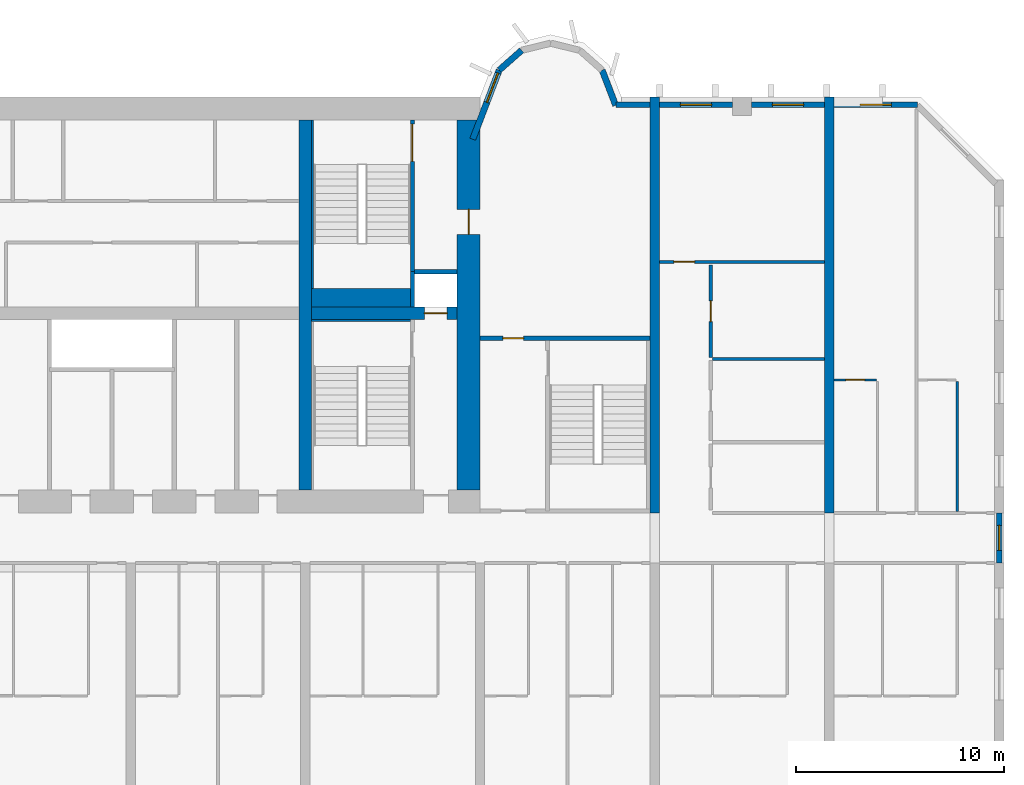
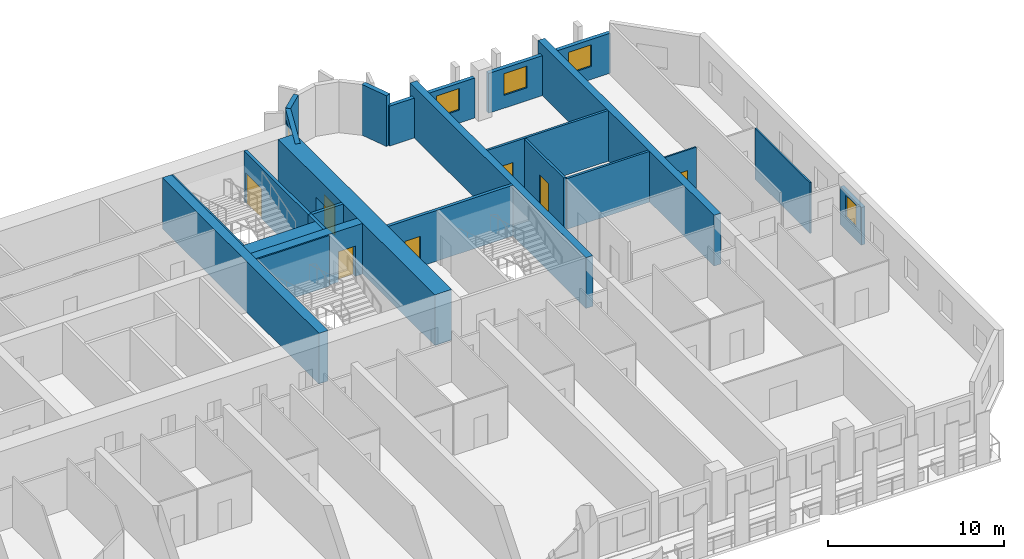
# One storey, part 10 of 15: 25 walls, 7 doors, 5 windows, 12 openings.
"""IFC4 building model written with IfcOpenShell, lengths in metres."""

from ifc_helpers import new_model, si_unit, direction, frame, frame_2d, origin, place, context, subcontext, project, spatial, rectangle, extrude, source, transform, mapped, material, layer, layer_set, type_object, element, fill, save


model = new_model("IFC4")

# Units and contexts
model_context = context("Model", 3, precision=1e-05, world=origin(), true_north=direction((0.0, 1.0)))
body_context = subcontext(model_context, "Body", "Model", "MODEL_VIEW")
ifc_project = project(units=[si_unit("LENGTHUNIT", "METRE"), si_unit("AREAUNIT", "SQUARE_METRE"), si_unit("VOLUMEUNIT", "CUBIC_METRE"), si_unit("PLANEANGLEUNIT", "RADIAN"), si_unit("MASSUNIT", "GRAM", prefix="KILO")], contexts=[model_context])

# Site, building, storey
site_placement = place(None, origin())
site = spatial("IfcSite", under=ifc_project, at=site_placement, CompositionType="ELEMENT")
building_placement = place(site_placement, origin())
building = spatial("IfcBuilding", under=site, at=building_placement, Name="Vanashikhar Sky Hotel", CompositionType="ELEMENT")
storey_placement = place(building_placement, frame((0.0, 0.0, 39.199951171875)))
storey = spatial("IfcBuildingStorey", under=building, at=storey_placement, Name="L08", CompositionType="ELEMENT", Elevation=39.199951171875)

# Wall, opening, door
ifc_material_1 = material(Name="Concrete M80", Category="concrete")
ifc_layer_1 = layer(ifc_material_1, 1.10009765625)
ifc_layer_set_1 = layer_set([ifc_layer_1], Name="RC core shell wall 1100 Concrete M80")
wall_type_1 = type_object("IfcWallType", Name="RC core shell wall 1100 Concrete M80", PredefinedType="SHEAR", material=ifc_layer_set_1)
shared_shape_1 = source(origin(), body_context, "Body", "SweptSolid", [
    extrude(rectangle(XDim=17.7998046875, YDim=1.10009765625, at=frame_2d((8.89990234375, 0.0))), origin(), (0.0, 0.0, 1.0), 3.52001953125),
])
wall_1_placement = place(storey_placement, frame((75.050048828125, 23.10009765625, 0.0), z_axis=(0.0, 0.0, 1.0), x_axis=(0.0, 1.0, 0.0)))
wall_1 = element("IfcWall", 1, at=wall_1_placement, inside=storey, type_object=wall_type_1, Name="KW-L08-KE", PredefinedType="SHEAR", context=body_context, shape_type="MappedRepresentation", body=[
    mapped(shared_shape_1, transform((0.0, 0.0, 0.0), scale=1.0)),
])
shared_shape_2 = source(origin(), body_context, "Body", "SweptSolid", [
    extrude(rectangle(XDim=1.199951171875, YDim=2.10009765625, at=frame_2d((0.60009765625, 1.050048828125))), frame((0.0, 0.56005859375, 0.0), z_axis=(0.0, -1.0, 0.0), x_axis=(1.0, 0.0, 0.0)), (0.0, 0.0, 1.0), 1.1201171875),
])
opening_1_placement = place(wall_1_placement, frame((12.300048828125, 0.0, 0.0)))
opening_1 = element("IfcOpeningElement", 2, at=opening_1_placement, cuts=wall_1, Name="Opening DC-4-D", PredefinedType="OPENING", context=body_context, shape_type="MappedRepresentation", body=[
    mapped(shared_shape_2, transform((0.0, 0.0, 0.0), scale=1.0)),
])
ifc_material_2 = material(Name="Steel", Category="steel")
door_type_1 = type_object("IfcDoorType", Name="Service door 1200 FD120", OperationType="NOTDEFINED", PredefinedType="DOOR", material=ifc_material_2)
shared_shape_3 = source(origin(), body_context, "Body", "SweptSolid", [
    extrude(rectangle(XDim=1.199951171875, YDim=2.10009765625, at=frame_2d((0.60009765625, 1.050048828125))), frame((0.0, 0.02490234375, 0.0), z_axis=(0.0, -1.0, 0.0), x_axis=(1.0, 0.0, 0.0)), (0.0, 0.0, 1.0), 0.050048828125),
])
door_1_placement = place(opening_1_placement, origin())
door_1 = element("IfcDoor", 3, at=door_1_placement, inside=storey, type_object=door_type_1, Name="Service door 1200 FD120", OperationType="SINGLE_SWING_RIGHT", OverallHeight=2.10009765625, OverallWidth=1.199951171875, PredefinedType="DOOR", context=body_context, shape_type="MappedRepresentation", body=[
    mapped(shared_shape_3, transform((0.0, 0.0, 0.0), scale=1.0)),
])
fill(opening_1, door_1)

# Wall
ifc_layer_2 = layer(ifc_material_1, 0.60009765625)
ifc_layer_set_2 = layer_set([ifc_layer_2], Name="RC core inner wall 600 Concrete M80")
wall_type_2 = type_object("IfcWallType", Name="RC core inner wall 600 Concrete M80", PredefinedType="SHEAR", material=ifc_layer_set_2)
shared_shape_4 = source(origin(), body_context, "Body", "SweptSolid", [
    extrude(rectangle(XDim=17.7998046875, YDim=0.60009765625, at=frame_2d((8.89990234375, 0.0))), origin(), (0.0, 0.0, 1.0), 3.52001953125),
])
wall_2_placement = place(storey_placement, frame((67.199951171875, 23.10009765625, 0.0), z_axis=(0.0, 0.0, 1.0), x_axis=(0.0, 1.0, 0.0)))
element("IfcWall", 4, at=wall_2_placement, inside=storey, type_object=wall_type_2, Name="KW-L08-KX3", PredefinedType="SHEAR", context=body_context, shape_type="MappedRepresentation", body=[
    mapped(shared_shape_4, transform((0.0, 0.0, 0.0), scale=1.0)),
])

# Wall, opening, door
shared_shape_5 = source(origin(), body_context, "Body", "SweptSolid", [
    extrude(rectangle(XDim=7.0, YDim=0.60009765625, at=frame_2d((3.5, 0.0))), origin(), (0.0, 0.0, 1.0), 3.52001953125),
])
wall_3_placement = place(storey_placement, frame((67.5, 31.60009765625, 0.0), z_axis=(0.0, 0.0, 1.0), x_axis=(1.0, 0.0, 0.0)))
wall_3 = element("IfcWall", 5, at=wall_3_placement, inside=storey, type_object=wall_type_2, Name="KW-L08-KY4", PredefinedType="SHEAR", context=body_context, shape_type="MappedRepresentation", body=[
    mapped(shared_shape_5, transform((0.0, 0.0, 0.0), scale=1.0)),
])
shared_shape_6 = source(origin(), body_context, "Body", "SweptSolid", [
    extrude(rectangle(XDim=1.10009765625, YDim=2.10009765625, at=frame_2d((0.550048828125, 1.050048828125))), frame((0.0, 0.31005859375, 0.0), z_axis=(0.0, -1.0, 0.0), x_axis=(1.0, 0.0, 0.0)), (0.0, 0.0, 1.0), 0.6201171875),
])
opening_2_placement = place(wall_3_placement, frame((5.425048828125, 0.0, 0.0)))
opening_2 = element("IfcOpeningElement", 6, at=opening_2_placement, cuts=wall_3, Name="Opening LD", PredefinedType="OPENING", context=body_context, shape_type="MappedRepresentation", body=[
    mapped(shared_shape_6, transform((0.0, 0.0, 0.0), scale=1.0)),
])
ifc_material_3 = material(Name="Stainless steel", Category="steel")
door_type_2 = type_object("IfcDoorType", Name="Lift landing door 1100", OperationType="NOTDEFINED", PredefinedType="DOOR", material=ifc_material_3)
shared_shape_7 = source(origin(), body_context, "Body", "SweptSolid", [
    extrude(rectangle(XDim=1.10009765625, YDim=2.10009765625, at=frame_2d((0.550048828125, 1.050048828125))), frame((0.0, 0.02490234375, 0.0), z_axis=(0.0, -1.0, 0.0), x_axis=(1.0, 0.0, 0.0)), (0.0, 0.0, 1.0), 0.050048828125),
])
door_2_placement = place(opening_2_placement, origin())
door_2 = element("IfcDoor", 7, at=door_2_placement, inside=storey, type_object=door_type_2, Name="Lift landing door 1100", OperationType="SLIDING_TO_RIGHT", OverallHeight=2.10009765625, OverallWidth=1.10009765625, PredefinedType="DOOR", context=body_context, shape_type="MappedRepresentation", body=[
    mapped(shared_shape_7, transform((0.0, 0.0, 0.0), scale=1.0)),
])
fill(opening_2, door_2)

# Walls
ifc_layer_3 = layer(ifc_material_1, 0.449951171875)
ifc_layer_set_3 = layer_set([ifc_layer_3], Name="RC shear wall 450 Concrete M80")
wall_type_3 = type_object("IfcWallType", Name="RC shear wall 450 Concrete M80", PredefinedType="SHEAR", material=ifc_layer_set_3)
shared_shape_8 = source(origin(), body_context, "Body", "SweptSolid", [
    extrude(rectangle(XDim=20.0, YDim=0.449951171875, at=frame_2d((10.0, 0.0))), origin(), (0.0, 0.0, 1.0), 3.52001953125),
])
for number, where, z_axis, x_axis, name in (
    (8, (84.0, 22.0, 0.0), (0.0, 0.0, 1.0), (0.0, 1.0, 0.0), "CW-L08-XW11-2"),
    (9, (92.39990234375, 22.0, 0.0), (0.0, 0.0, 1.0), (0.0, 1.0, 0.0), "CW-L08-XW12-2"),
):
    element("IfcWall", number, at=place(storey_placement, frame(where, z_axis=z_axis, x_axis=x_axis)), inside=storey, type_object=wall_type_3, Name=name, PredefinedType="SHEAR", context=body_context, shape_type="MappedRepresentation", body=[
        mapped(shared_shape_8, transform((0.0, 0.0, 0.0), scale=1.0)),
    ])

# Wall, opening, window
ifc_material_4 = material(Name="Concrete M50", Category="concrete")
ifc_layer_4 = layer(ifc_material_4, 0.25)
ifc_layer_set_4 = layer_set([ifc_layer_4], Name="Rear and end board-marked wall 250")
wall_type_4 = type_object("IfcWallType", Name="Rear and end board-marked wall 250", PredefinedType="SOLIDWALL", material=ifc_layer_set_4)
shared_shape_9 = source(origin(), body_context, "Body", "SweptSolid", [
    extrude(rectangle(XDim=4.019775390625, YDim=0.25, at=frame_2d((2.009765625, 0.0))), origin(), (0.0, 0.0, 1.0), 2.77001953125),
])
wall_4_placement = place(storey_placement, frame((96.644775390625, 41.625, 0.0), z_axis=(0.0, 0.0, 1.0), x_axis=(-1.0, 0.0, 0.0)))
wall_4 = element("IfcWall", 10, at=wall_4_placement, inside=storey, type_object=wall_type_4, Name="Rear board-marked wall", PredefinedType="SOLIDWALL", context=body_context, shape_type="MappedRepresentation", body=[
    mapped(shared_shape_9, transform((0.0, 0.0, 0.0), scale=1.0)),
])
shared_shape_10 = source(origin(), body_context, "Body", "SweptSolid", [
    extrude(rectangle(XDim=1.5, YDim=1.5, at=frame_2d((0.75, 0.75))), frame((0.0, 0.135009765625, 0.0), z_axis=(0.0, -1.0, 0.0), x_axis=(1.0, 0.0, 0.0)), (0.0, 0.0, 1.0), 0.27001953125),
])
opening_3_placement = place(wall_4_placement, frame((1.260009765625, 0.0, 0.89990234375)))
opening_3 = element("IfcOpeningElement", 11, at=opening_3_placement, cuts=wall_4, Name="Opening WN-1", PredefinedType="OPENING", context=body_context, shape_type="MappedRepresentation", body=[
    mapped(shared_shape_10, transform((0.0, 0.0, 0.0), scale=1.0)),
])
ifc_material_5 = material(Name="Glass", Category="glass")
window_type_1 = type_object("IfcWindowType", Name="Window 1500 x 1500", PartitioningType="SINGLE_PANEL", PredefinedType="WINDOW", material=ifc_material_5)
shared_shape_11 = source(origin(), body_context, "Body", "SweptSolid", [
    extrude(rectangle(XDim=1.5, YDim=1.5, at=frame_2d((0.75, 0.75))), frame((0.0, 0.030029296875, 0.0), z_axis=(0.0, -1.0, 0.0), x_axis=(1.0, 0.0, 0.0)), (0.0, 0.0, 1.0), 0.06005859375),
])
window_1_placement = place(opening_3_placement, origin())
window_1 = element("IfcWindow", 12, at=window_1_placement, inside=storey, type_object=window_type_1, Name="Window WN-1", OverallHeight=1.5, OverallWidth=1.5, PartitioningType="SINGLE_PANEL", PredefinedType="WINDOW", context=body_context, shape_type="MappedRepresentation", body=[
    mapped(shared_shape_11, transform((0.0, 0.0, 0.0), scale=1.0)),
])
fill(opening_3, window_1)

ifc_layer_5 = layer(ifc_material_4, 0.300048828125)
ifc_layer_set_5 = layer_set([ifc_layer_5], Name="Lobe wall 300")
wall_type_5 = type_object("IfcWallType", Name="Lobe wall 300", PredefinedType="SOLIDWALL", material=ifc_layer_set_5)
shared_shape_12 = source(origin(), body_context, "Body", "SweptSolid", [
    extrude(rectangle(XDim=3.55908203125, YDim=0.300048828125, at=frame_2d((1.779541015625, 0.0))), origin(), (0.0, 0.0, 1.0), 3.52001953125),
])
wall_5_placement = place(storey_placement, frame((76.5234375, 43.2919921875, 0.0), z_axis=(0.0, 0.0, 1.0), x_axis=(-0.35779745313, -0.933799219604, 0.0)))
wall_5 = element("IfcWall", 13, at=wall_5_placement, inside=storey, type_object=wall_type_5, Name="Lobe wall", PredefinedType="SOLIDWALL", context=body_context, shape_type="MappedRepresentation", body=[
    mapped(shared_shape_12, transform((0.0, 0.0, 0.0), scale=1.0)),
])
shared_shape_13 = source(origin(), body_context, "Body", "SweptSolid", [
    extrude(rectangle(XDim=1.5, YDim=2.0, at=frame_2d((0.75, 1.0))), frame((0.0, 0.16015625, 0.0), z_axis=(0.0, -1.0, 0.0), x_axis=(1.0, 0.0, 0.0)), (0.0, 0.0, 1.0), 0.320068359375),
])
opening_4_placement = place(wall_5_placement, frame((0.156005859375, 0.0, 0.89990234375)))
opening_4 = element("IfcOpeningElement", 14, at=opening_4_placement, cuts=wall_5, Name="Opening WN-2", PredefinedType="OPENING", context=body_context, shape_type="MappedRepresentation", body=[
    mapped(shared_shape_13, transform((0.0, 0.0, 0.0), scale=1.0)),
])
window_type_2 = type_object("IfcWindowType", Name="Lobe window 1500 x 2000", PartitioningType="SINGLE_PANEL", PredefinedType="WINDOW", material=ifc_material_5)
shared_shape_14 = source(origin(), body_context, "Body", "SweptSolid", [
    extrude(rectangle(XDim=1.5, YDim=2.0, at=frame_2d((0.75, 1.0))), frame((0.0, 0.030029296875, 0.0), z_axis=(0.0, -1.0, 0.0), x_axis=(1.0, 0.0, 0.0)), (0.0, 0.0, 1.0), 0.06005859375),
])
window_2_placement = place(opening_4_placement, origin())
window_2 = element("IfcWindow", 15, at=window_2_placement, inside=storey, type_object=window_type_2, Name="Window WN-2", OverallHeight=2.0, OverallWidth=1.5, PartitioningType="SINGLE_PANEL", PredefinedType="WINDOW", context=body_context, shape_type="MappedRepresentation", body=[
    mapped(shared_shape_14, transform((0.0, 0.0, 0.0), scale=1.0)),
])
fill(opening_4, window_2)

# Walls
shared_shape_15 = source(origin(), body_context, "Body", "SweptSolid", [
    extrude(rectangle(XDim=1.43994140625, YDim=0.300048828125, at=frame_2d((0.719970703125, 0.0))), origin(), (0.0, 0.0, 1.0), 3.52001953125),
])
wall_6_placement = place(storey_placement, frame((77.602783203125, 44.2451171875, 0.0), z_axis=(0.0, 0.0, 1.0), x_axis=(-0.74957555648, -0.661918790432, 0.0)))
element("IfcWall", 16, at=wall_6_placement, inside=storey, type_object=wall_type_5, Name="Lobe wall", PredefinedType="SOLIDWALL", context=body_context, shape_type="MappedRepresentation", body=[
    mapped(shared_shape_15, transform((0.0, 0.0, 0.0), scale=1.0)),
])
shared_shape_16 = source(origin(), body_context, "Body", "SweptSolid", [
    extrude(rectangle(XDim=1.81201171875, YDim=0.300048828125, at=frame_2d((0.906005859375, 0.0))), origin(), (0.0, 0.0, 1.0), 3.52001953125),
])
wall_7_placement = place(storey_placement, frame((82.125, 41.60009765625, 0.0), z_axis=(0.0, 0.0, 1.0), x_axis=(-0.357877270961, 0.93376863244, 0.0)))
element("IfcWall", 17, at=wall_7_placement, inside=storey, type_object=wall_type_5, Name="Lobe wall", PredefinedType="SOLIDWALL", context=body_context, shape_type="MappedRepresentation", body=[
    mapped(shared_shape_16, transform((0.0, 0.0, 0.0), scale=1.0)),
])

# Wall, opening, window
shared_shape_17 = source(origin(), body_context, "Body", "SweptSolid", [
    extrude(rectangle(XDim=3.52490234375, YDim=0.25, at=frame_2d((1.762451171875, 0.0))), origin(), (0.0, 0.0, 1.0), 2.77001953125),
])
wall_8_placement = place(storey_placement, frame((87.75, 41.625, 0.0), z_axis=(0.0, 0.0, 1.0), x_axis=(-1.0, 0.0, 0.0)))
wall_8 = element("IfcWall", 18, at=wall_8_placement, inside=storey, type_object=wall_type_4, Name="Rear board-marked wall", PredefinedType="SOLIDWALL", context=body_context, shape_type="MappedRepresentation", body=[
    mapped(shared_shape_17, transform((0.0, 0.0, 0.0), scale=1.0)),
])
opening_5_placement = place(wall_8_placement, frame((1.012451171875, 0.0, 0.89990234375)))
opening_5 = element("IfcOpeningElement", 19, at=opening_5_placement, cuts=wall_8, Name="Opening WN-1", PredefinedType="OPENING", context=body_context, shape_type="MappedRepresentation", body=[
    mapped(shared_shape_10, transform((0.0, 0.0, 0.0), scale=1.0)),
])
window_3_placement = place(opening_5_placement, origin())
window_3 = element("IfcWindow", 20, at=window_3_placement, inside=storey, type_object=window_type_1, Name="Window WN-1", OverallHeight=1.5, OverallWidth=1.5, PartitioningType="SINGLE_PANEL", PredefinedType="WINDOW", context=body_context, shape_type="MappedRepresentation", body=[
    mapped(shared_shape_11, transform((0.0, 0.0, 0.0), scale=1.0)),
])
fill(opening_5, window_3)

# Wall
shared_shape_18 = source(origin(), body_context, "Body", "SweptSolid", [
    extrude(rectangle(XDim=1.6328125, YDim=0.25, at=frame_2d((0.81640625, 0.0))), origin(), (0.0, 0.0, 1.0), 2.77001953125),
])
wall_9_placement = place(storey_placement, frame((83.77490234375, 41.625, 0.0), z_axis=(0.0, 0.0, 1.0), x_axis=(-1.0, 0.0, 0.0)))
element("IfcWall", 21, at=wall_9_placement, inside=storey, type_object=wall_type_4, Name="Rear board-marked wall", PredefinedType="SOLIDWALL", context=body_context, shape_type="MappedRepresentation", body=[
    mapped(shared_shape_18, transform((0.0, 0.0, 0.0), scale=1.0)),
])

# Wall, opening, window
shared_shape_19 = source(origin(), body_context, "Body", "SweptSolid", [
    extrude(rectangle(XDim=3.525146484375, YDim=0.25, at=frame_2d((1.7626953125, 0.0))), origin(), (0.0, 0.0, 1.0), 2.77001953125),
])
wall_10_placement = place(storey_placement, frame((92.175048828125, 41.625, 0.0), z_axis=(0.0, 0.0, 1.0), x_axis=(-1.0, 0.0, 0.0)))
wall_10 = element("IfcWall", 22, at=wall_10_placement, inside=storey, type_object=wall_type_4, Name="Rear board-marked wall", PredefinedType="SOLIDWALL", context=body_context, shape_type="MappedRepresentation", body=[
    mapped(shared_shape_19, transform((0.0, 0.0, 0.0), scale=1.0)),
])
opening_6_placement = place(wall_10_placement, frame((1.012451171875, 0.0, 0.89990234375)))
opening_6 = element("IfcOpeningElement", 23, at=opening_6_placement, cuts=wall_10, Name="Opening WN-1", PredefinedType="OPENING", context=body_context, shape_type="MappedRepresentation", body=[
    mapped(shared_shape_10, transform((0.0, 0.0, 0.0), scale=1.0)),
])
window_4_placement = place(opening_6_placement, origin())
window_4 = element("IfcWindow", 24, at=window_4_placement, inside=storey, type_object=window_type_1, Name="Window WN-1", OverallHeight=1.5, OverallWidth=1.5, PartitioningType="SINGLE_PANEL", PredefinedType="WINDOW", context=body_context, shape_type="MappedRepresentation", body=[
    mapped(shared_shape_11, transform((0.0, 0.0, 0.0), scale=1.0)),
])
fill(opening_6, window_4)

shared_shape_20 = source(origin(), body_context, "Body", "SweptSolid", [
    extrude(rectangle(XDim=2.39990234375, YDim=0.25, at=frame_2d((1.199951171875, 0.0))), origin(), (0.0, 0.0, 1.0), 2.6201171875),
])
wall_11_placement = place(storey_placement, frame((100.574951171875, 19.60009765625, 0.0), z_axis=(0.0, 0.0, 1.0), x_axis=(0.0, 1.0, 0.0)))
wall_11 = element("IfcWall", 25, at=wall_11_placement, inside=storey, type_object=wall_type_4, Name="End corridor infill wall", PredefinedType="SOLIDWALL", context=body_context, shape_type="MappedRepresentation", body=[
    mapped(shared_shape_20, transform((0.0, 0.0, 0.0), scale=1.0)),
])
shared_shape_21 = source(origin(), body_context, "Body", "SweptSolid", [
    extrude(rectangle(XDim=1.199951171875, YDim=1.5, at=frame_2d((0.60009765625, 0.75))), frame((0.0, 0.135009765625, 0.0), z_axis=(0.0, -1.0, 0.0), x_axis=(1.0, 0.0, 0.0)), (0.0, 0.0, 1.0), 0.27001953125),
])
opening_7_placement = place(wall_11_placement, frame((0.60009765625, 0.0, 0.89990234375)))
opening_7 = element("IfcOpeningElement", 26, at=opening_7_placement, cuts=wall_11, Name="Opening WN-3", PredefinedType="OPENING", context=body_context, shape_type="MappedRepresentation", body=[
    mapped(shared_shape_21, transform((0.0, 0.0, 0.0), scale=1.0)),
])
window_type_3 = type_object("IfcWindowType", Name="Corridor end window 1200 x 1500", PartitioningType="SINGLE_PANEL", PredefinedType="WINDOW", material=ifc_material_5)
shared_shape_22 = source(origin(), body_context, "Body", "SweptSolid", [
    extrude(rectangle(XDim=1.199951171875, YDim=1.5, at=frame_2d((0.60009765625, 0.75))), frame((0.0, 0.030029296875, 0.0), z_axis=(0.0, -1.0, 0.0), x_axis=(1.0, 0.0, 0.0)), (0.0, 0.0, 1.0), 0.06005859375),
])
window_5_placement = place(opening_7_placement, origin())
window_5 = element("IfcWindow", 27, at=window_5_placement, inside=storey, type_object=window_type_3, Name="Window WN-3", OverallHeight=1.5, OverallWidth=1.199951171875, PartitioningType="SINGLE_PANEL", PredefinedType="WINDOW", context=body_context, shape_type="MappedRepresentation", body=[
    mapped(shared_shape_22, transform((0.0, 0.0, 0.0), scale=1.0)),
])
fill(opening_7, window_5)

# Wall
ifc_material_6 = material(Name="Concrete M40", Category="concrete")
ifc_layer_6 = layer(ifc_material_6, 0.199951171875)
ifc_layer_set_6 = layer_set([ifc_layer_6], Name="Shaft wall 200")
wall_type_6 = type_object("IfcWallType", Name="Shaft wall 200", PredefinedType="SOLIDWALL", material=ifc_layer_set_6)
shared_shape_23 = source(origin(), body_context, "Body", "SweptSolid", [
    extrude(rectangle(XDim=1.7001953125, YDim=0.199951171875, at=frame_2d((0.85009765625, 0.0))), origin(), (0.0, 0.0, 1.0), 3.52001953125),
])
wall_12_placement = place(storey_placement, frame((72.35009765625, 31.89990234375, 0.0), z_axis=(0.0, 0.0, 1.0), x_axis=(0.0, 1.0, 0.0)))
element("IfcWall", 28, at=wall_12_placement, inside=storey, type_object=wall_type_6, Name="Shaft wall 200", PredefinedType="SOLIDWALL", context=body_context, shape_type="MappedRepresentation", body=[
    mapped(shared_shape_23, transform((0.0, 0.0, 0.0), scale=1.0)),
])

# Wall, opening, door
ifc_layer_7 = layer(ifc_material_4, 0.199951171875)
ifc_layer_set_7 = layer_set([ifc_layer_7], Name="Stair wall 200")
wall_type_7 = type_object("IfcWallType", Name="Stair wall 200", PredefinedType="SOLIDWALL", material=ifc_layer_set_7)
shared_shape_24 = source(origin(), body_context, "Body", "SweptSolid", [
    extrude(rectangle(XDim=7.2998046875, YDim=0.199951171875, at=frame_2d((3.64990234375, 0.0))), origin(), (0.0, 0.0, 1.0), 3.52001953125),
])
wall_13_placement = place(storey_placement, frame((72.35009765625, 33.60009765625, 0.0), z_axis=(0.0, 0.0, 1.0), x_axis=(0.0, 1.0, 0.0)))
wall_13 = element("IfcWall", 29, at=wall_13_placement, inside=storey, type_object=wall_type_7, Name="Stair wall 200", PredefinedType="SOLIDWALL", context=body_context, shape_type="MappedRepresentation", body=[
    mapped(shared_shape_24, transform((0.0, 0.0, 0.0), scale=1.0)),
])
shared_shape_25 = source(origin(), body_context, "Body", "SweptSolid", [
    extrude(rectangle(XDim=1.800048828125, YDim=2.10009765625, at=frame_2d((0.89990234375, 1.050048828125))), frame((0.0, 0.10986328125, 0.0), z_axis=(0.0, -1.0, 0.0), x_axis=(1.0, 0.0, 0.0)), (0.0, 0.0, 1.0), 0.219970703125),
])
opening_8_placement = place(wall_13_placement, frame((5.300048828125, 0.0, 0.0)))
opening_8 = element("IfcOpeningElement", 30, at=opening_8_placement, cuts=wall_13, Name="Opening DC-1-A", PredefinedType="OPENING", context=body_context, shape_type="MappedRepresentation", body=[
    mapped(shared_shape_25, transform((0.0, 0.0, 0.0), scale=1.0)),
])
door_type_3 = type_object("IfcDoorType", Name="Stair door 1800 FD120", OperationType="NOTDEFINED", PredefinedType="DOOR", material=ifc_material_2)
shared_shape_26 = source(origin(), body_context, "Body", "SweptSolid", [
    extrude(rectangle(XDim=1.800048828125, YDim=2.10009765625, at=frame_2d((0.89990234375, 1.050048828125))), frame((0.0, 0.02490234375, 0.0), z_axis=(0.0, -1.0, 0.0), x_axis=(1.0, 0.0, 0.0)), (0.0, 0.0, 1.0), 0.050048828125),
])
door_3_placement = place(opening_8_placement, origin())
door_3 = element("IfcDoor", 31, at=door_3_placement, inside=storey, type_object=door_type_3, Name="Stair door 1800 FD120", OperationType="SINGLE_SWING_LEFT", OverallHeight=2.10009765625, OverallWidth=1.800048828125, PredefinedType="DOOR", context=body_context, shape_type="MappedRepresentation", body=[
    mapped(shared_shape_26, transform((0.0, 0.0, 0.0), scale=1.0)),
])
fill(opening_8, door_3)

# Wall
shared_shape_27 = source(origin(), body_context, "Body", "SweptSolid", [
    extrude(rectangle(XDim=2.050048828125, YDim=0.199951171875, at=frame_2d((1.02490234375, 0.0))), origin(), (0.0, 0.0, 1.0), 3.52001953125),
])
wall_14_placement = place(storey_placement, frame((72.449951171875, 33.60009765625, 0.0), z_axis=(0.0, 0.0, 1.0), x_axis=(1.0, 0.0, 0.0)))
element("IfcWall", 32, at=wall_14_placement, inside=storey, type_object=wall_type_6, Name="Shaft wall 200", PredefinedType="SOLIDWALL", context=body_context, shape_type="MappedRepresentation", body=[
    mapped(shared_shape_27, transform((0.0, 0.0, 0.0), scale=1.0)),
])

# Wall, opening, door
shared_shape_28 = source(origin(), body_context, "Body", "SweptSolid", [
    extrude(rectangle(XDim=8.1748046875, YDim=0.199951171875, at=frame_2d((4.08740234375, 0.0))), origin(), (0.0, 0.0, 1.0), 3.52001953125),
])
wall_15_placement = place(storey_placement, frame((83.77490234375, 30.39990234375, 0.0), z_axis=(0.0, 0.0, 1.0), x_axis=(-1.0, 0.0, 0.0)))
wall_15 = element("IfcWall", 33, at=wall_15_placement, inside=storey, type_object=wall_type_7, Name="Stair wall 200", PredefinedType="SOLIDWALL", context=body_context, shape_type="MappedRepresentation", body=[
    mapped(shared_shape_28, transform((0.0, 0.0, 0.0), scale=1.0)),
])
shared_shape_29 = source(origin(), body_context, "Body", "SweptSolid", [
    extrude(rectangle(XDim=1.0, YDim=2.10009765625, at=frame_2d((0.5, 1.050048828125))), frame((0.0, 0.10986328125, 0.0), z_axis=(0.0, -1.0, 0.0), x_axis=(1.0, 0.0, 0.0)), (0.0, 0.0, 1.0), 0.219970703125),
])
opening_9_placement = place(wall_15_placement, frame((6.074951171875, 0.0, 0.0)))
opening_9 = element("IfcOpeningElement", 34, at=opening_9_placement, cuts=wall_15, Name="Opening DC-6", PredefinedType="OPENING", context=body_context, shape_type="MappedRepresentation", body=[
    mapped(shared_shape_29, transform((0.0, 0.0, 0.0), scale=1.0)),
])
door_type_4 = type_object("IfcDoorType", Name="Pocket door 1000 FD60", OperationType="NOTDEFINED", PredefinedType="DOOR", material=ifc_material_2)
shared_shape_30 = source(origin(), body_context, "Body", "SweptSolid", [
    extrude(rectangle(XDim=1.0, YDim=2.10009765625, at=frame_2d((0.5, 1.050048828125))), frame((0.0, 0.02490234375, 0.0), z_axis=(0.0, -1.0, 0.0), x_axis=(1.0, 0.0, 0.0)), (0.0, 0.0, 1.0), 0.050048828125),
])
door_4_placement = place(opening_9_placement, origin())
door_4 = element("IfcDoor", 35, at=door_4_placement, inside=storey, type_object=door_type_4, Name="Pocket door 1000 FD60", OperationType="SINGLE_SWING_RIGHT", OverallHeight=2.10009765625, OverallWidth=1.0, PredefinedType="DOOR", context=body_context, shape_type="MappedRepresentation", body=[
    mapped(shared_shape_30, transform((0.0, 0.0, 0.0), scale=1.0)),
])
fill(opening_9, door_4)

# Walls
ifc_layer_8 = layer(ifc_material_4, 0.10009765625)
ifc_layer_set_8 = layer_set([ifc_layer_8], Name="Stair infill wall 100")
wall_type_8 = type_object("IfcWallType", Name="Stair infill wall 100", PredefinedType="SOLIDWALL", material=ifc_layer_set_8)
shared_shape_31 = source(origin(), body_context, "Body", "SweptSolid", [
    extrude(rectangle(XDim=4.75, YDim=0.10009765625, at=frame_2d((2.375, 0.0))), origin(), (0.0, 0.0, 1.0), 3.52001953125),
])
wall_16_placement = place(storey_placement, frame((67.5, 31.25, 0.0), z_axis=(0.0, 0.0, 1.0), x_axis=(1.0, 0.0, 0.0)))
element("IfcWall", 36, at=wall_16_placement, inside=storey, type_object=wall_type_8, Name="Stair infill wall 100", PredefinedType="SOLIDWALL", context=body_context, shape_type="MappedRepresentation", body=[
    mapped(shared_shape_31, transform((0.0, 0.0, 0.0), scale=1.0)),
])
shared_shape_32 = source(origin(), body_context, "Body", "SweptSolid", [
    extrude(rectangle(XDim=8.099853515625, YDim=0.10009765625, at=frame_2d((4.0498046875, 0.0))), origin(), (0.0, 0.0, 1.0), 3.52001953125),
])
wall_17_placement = place(storey_placement, frame((67.550048828125, 32.800048828125, 0.0), z_axis=(0.0, 0.0, 1.0), x_axis=(0.0, 1.0, 0.0)))
element("IfcWall", 37, at=wall_17_placement, inside=storey, type_object=wall_type_8, Name="Stair infill wall 100", PredefinedType="SOLIDWALL", context=body_context, shape_type="MappedRepresentation", body=[
    mapped(shared_shape_32, transform((0.0, 0.0, 0.0), scale=1.0)),
])
ifc_layer_9 = layer(ifc_material_4, 0.89990234375)
ifc_layer_set_9 = layer_set([ifc_layer_9], Name="Stair infill wall 900")
wall_type_9 = type_object("IfcWallType", Name="Stair infill wall 900", PredefinedType="SOLIDWALL", material=ifc_layer_set_9)
shared_shape_33 = source(origin(), body_context, "Body", "SweptSolid", [
    extrude(rectangle(XDim=4.75, YDim=0.89990234375, at=frame_2d((2.375, 0.0))), origin(), (0.0, 0.0, 1.0), 3.52001953125),
])
wall_18_placement = place(storey_placement, frame((67.5, 32.35009765625, 0.0), z_axis=(0.0, 0.0, 1.0), x_axis=(1.0, 0.0, 0.0)))
element("IfcWall", 38, at=wall_18_placement, inside=storey, type_object=wall_type_9, Name="Stair infill wall 900", PredefinedType="SOLIDWALL", context=body_context, shape_type="MappedRepresentation", body=[
    mapped(shared_shape_33, transform((0.0, 0.0, 0.0), scale=1.0)),
])

# Wall, opening, door
ifc_material_7 = material(Name="Gypsum plasterboard partition")
ifc_layer_10 = layer(ifc_material_7, 0.10009765625)
ifc_layer_set_10 = layer_set([ifc_layer_10], Name="Wet room partition 100")
wall_type_10 = type_object("IfcWallType", Name="Wet room partition 100", PredefinedType="PARTITIONING", material=ifc_layer_set_10)
shared_shape_34 = source(origin(), body_context, "Body", "SweptSolid", [
    extrude(rectangle(XDim=2.050048828125, YDim=0.10009765625, at=frame_2d((1.02490234375, 0.0))), origin(), (0.0, 0.0, 1.0), 3.52001953125),
])
wall_19_placement = place(storey_placement, frame((92.625, 28.39990234375, 0.0), z_axis=(0.0, 0.0, 1.0), x_axis=(1.0, 0.0, 0.0)))
wall_19 = element("IfcWall", 39, at=wall_19_placement, inside=storey, type_object=wall_type_10, Name="W-L08-PW090", PredefinedType="PARTITIONING", context=body_context, shape_type="MappedRepresentation", body=[
    mapped(shared_shape_34, transform((0.0, 0.0, 0.0), scale=1.0)),
])
shared_shape_35 = source(origin(), body_context, "Body", "SweptSolid", [
    extrude(rectangle(XDim=0.89990234375, YDim=2.10009765625, at=frame_2d((0.449951171875, 1.050048828125))), frame((0.0, 0.06005859375, 0.0), z_axis=(0.0, -1.0, 0.0), x_axis=(1.0, 0.0, 0.0)), (0.0, 0.0, 1.0), 0.1201171875),
])
opening_10_placement = place(wall_19_placement, frame((0.574951171875, 0.0, 0.0)))
opening_10 = element("IfcOpeningElement", 40, at=opening_10_placement, cuts=wall_19, Name="Opening D-02", PredefinedType="OPENING", context=body_context, shape_type="MappedRepresentation", body=[
    mapped(shared_shape_35, transform((0.0, 0.0, 0.0), scale=1.0)),
])
ifc_material_8 = material(Name="Timber door", Category="wood")
door_type_5 = type_object("IfcDoorType", Name="Internal door 900", OperationType="NOTDEFINED", PredefinedType="DOOR", material=ifc_material_8)
shared_shape_36 = source(origin(), body_context, "Body", "SweptSolid", [
    extrude(rectangle(XDim=0.89990234375, YDim=2.10009765625, at=frame_2d((0.449951171875, 1.050048828125))), frame((0.0, 0.02490234375, 0.0), z_axis=(0.0, -1.0, 0.0), x_axis=(1.0, 0.0, 0.0)), (0.0, 0.0, 1.0), 0.050048828125),
])
door_5_placement = place(opening_10_placement, origin())
door_5 = element("IfcDoor", 41, at=door_5_placement, inside=storey, type_object=door_type_5, Name="D-L08-052", OperationType="SINGLE_SWING_RIGHT", OverallHeight=2.10009765625, OverallWidth=0.89990234375, PredefinedType="DOOR", context=body_context, shape_type="MappedRepresentation", body=[
    mapped(shared_shape_36, transform((0.0, 0.0, 0.0), scale=1.0)),
])
fill(opening_10, door_5)

# Wall
ifc_layer_11 = layer(ifc_material_7, 0.14990234375)
ifc_layer_set_11 = layer_set([ifc_layer_11], Name="Corridor and demising partition 150")
wall_type_11 = type_object("IfcWallType", Name="Corridor and demising partition 150", PredefinedType="PARTITIONING", material=ifc_layer_set_11)
shared_shape_37 = source(origin(), body_context, "Body", "SweptSolid", [
    extrude(rectangle(XDim=5.400146484375, YDim=0.14990234375, at=frame_2d((2.7001953125, 0.0))), origin(), (0.0, 0.0, 1.0), 3.52001953125),
])
wall_20_placement = place(storey_placement, frame((86.77490234375, 29.39990234375, 0.0), z_axis=(0.0, 0.0, 1.0), x_axis=(1.0, 0.0, 0.0)))
element("IfcWall", 42, at=wall_20_placement, inside=storey, type_object=wall_type_11, Name="W-L08-PW086", PredefinedType="PARTITIONING", context=body_context, shape_type="MappedRepresentation", body=[
    mapped(shared_shape_37, transform((0.0, 0.0, 0.0), scale=1.0)),
])

# Wall, opening, door
shared_shape_38 = source(origin(), body_context, "Body", "SweptSolid", [
    extrude(rectangle(XDim=7.949951171875, YDim=0.14990234375, at=frame_2d((3.97509765625, 0.0))), origin(), (0.0, 0.0, 1.0), 3.52001953125),
])
wall_21_placement = place(storey_placement, frame((84.22509765625, 34.074951171875, 0.0), z_axis=(0.0, 0.0, 1.0), x_axis=(1.0, 0.0, 0.0)))
wall_21 = element("IfcWall", 43, at=wall_21_placement, inside=storey, type_object=wall_type_11, Name="W-L08-PW088", PredefinedType="PARTITIONING", context=body_context, shape_type="MappedRepresentation", body=[
    mapped(shared_shape_38, transform((0.0, 0.0, 0.0), scale=1.0)),
])
shared_shape_39 = source(origin(), body_context, "Body", "SweptSolid", [
    extrude(rectangle(XDim=1.0, YDim=2.10009765625, at=frame_2d((0.5, 1.050048828125))), frame((0.0, 0.0849609375, 0.0), z_axis=(0.0, -1.0, 0.0), x_axis=(1.0, 0.0, 0.0)), (0.0, 0.0, 1.0), 0.169921875),
])
opening_11_placement = place(wall_21_placement, frame((0.699951171875, 0.0, 0.0)))
opening_11 = element("IfcOpeningElement", 44, at=opening_11_placement, cuts=wall_21, Name="Opening D-01", PredefinedType="OPENING", context=body_context, shape_type="MappedRepresentation", body=[
    mapped(shared_shape_39, transform((0.0, 0.0, 0.0), scale=1.0)),
])
ifc_material_9 = material(Name="Timber fire door", Category="wood")
door_type_6 = type_object("IfcDoorType", Name="Guest entry door 1000 FD30S", OperationType="NOTDEFINED", PredefinedType="DOOR", material=ifc_material_9)
door_6_placement = place(opening_11_placement, origin())
door_6 = element("IfcDoor", 45, at=door_6_placement, inside=storey, type_object=door_type_6, Name="D-L08-051", OperationType="SINGLE_SWING_LEFT", OverallHeight=2.10009765625, OverallWidth=1.0, PredefinedType="DOOR", context=body_context, shape_type="MappedRepresentation", body=[
    mapped(shared_shape_30, transform((0.0, 0.0, 0.0), scale=1.0)),
])
fill(opening_11, door_6)

# Wall
shared_shape_40 = source(origin(), body_context, "Body", "SweptSolid", [
    extrude(rectangle(XDim=6.25, YDim=0.10009765625, at=frame_2d((3.125, 0.0))), origin(), (0.0, 0.0, 1.0), 3.52001953125),
])
wall_22_placement = place(storey_placement, frame((98.550048828125, 22.074951171875, 0.0), z_axis=(0.0, 0.0, 1.0), x_axis=(0.0, 1.0, 0.0)))
element("IfcWall", 46, at=wall_22_placement, inside=storey, type_object=wall_type_10, Name="W-L08-PW092", PredefinedType="PARTITIONING", context=body_context, shape_type="MappedRepresentation", body=[
    mapped(shared_shape_40, transform((0.0, 0.0, 0.0), scale=1.0)),
])

# Wall, opening, door
shared_shape_41 = source(origin(), body_context, "Body", "SweptSolid", [
    extrude(rectangle(XDim=4.449951171875, YDim=0.14990234375, at=frame_2d((2.22509765625, 0.0))), origin(), (0.0, 0.0, 1.0), 3.52001953125),
])
wall_23_placement = place(storey_placement, frame((86.699951171875, 29.47509765625, 0.0), z_axis=(0.0, 0.0, 1.0), x_axis=(0.0, 1.0, 0.0)))
wall_23 = element("IfcWall", 47, at=wall_23_placement, inside=storey, type_object=wall_type_11, Name="W-L08-PW087", PredefinedType="PARTITIONING", context=body_context, shape_type="MappedRepresentation", body=[
    mapped(shared_shape_41, transform((0.0, 0.0, 0.0), scale=1.0)),
])
opening_12_placement = place(wall_23_placement, frame((1.72509765625, 0.0, 0.0)))
opening_12 = element("IfcOpeningElement", 48, at=opening_12_placement, cuts=wall_23, Name="Opening D-01", PredefinedType="OPENING", context=body_context, shape_type="MappedRepresentation", body=[
    mapped(shared_shape_39, transform((0.0, 0.0, 0.0), scale=1.0)),
])
door_7_placement = place(opening_12_placement, origin())
door_7 = element("IfcDoor", 49, at=door_7_placement, inside=storey, type_object=door_type_6, Name="D-L08-050", OperationType="SINGLE_SWING_LEFT", OverallHeight=2.10009765625, OverallWidth=1.0, PredefinedType="DOOR", context=body_context, shape_type="MappedRepresentation", body=[
    mapped(shared_shape_30, transform((0.0, 0.0, 0.0), scale=1.0)),
])
fill(opening_12, door_7)

save(model, "model.ifc")
